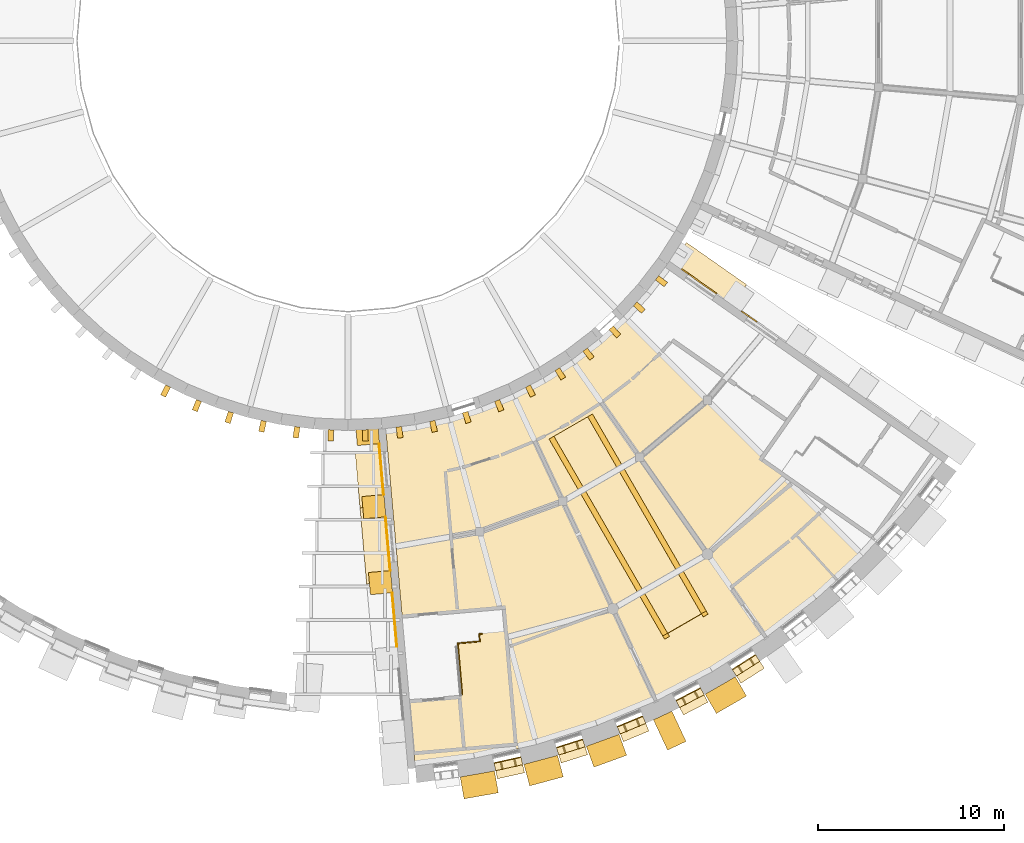
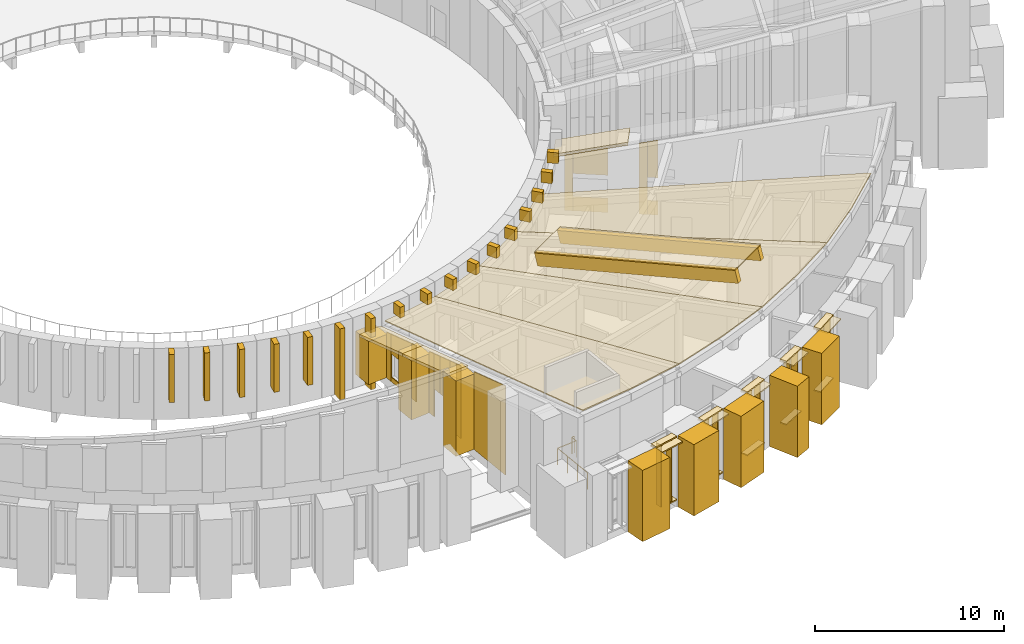
# One storey, part 36 of 50: 76 coverings, 1 railing.
"""IFC4 building model written with IfcOpenShell, lengths in metres."""

from ifc_helpers import new_model, si_unit, direction, frame, origin, origin_2d, place, context, subcontext, project, spatial, polyline, rectangle, circle, outline, extrude, material, layer, layer_set, type_object, element, save


model = new_model("IFC4")

# Units and contexts
model_context = context("Model", 3, precision=1e-05, world=origin(), true_north=direction((0.0, 1.0)))
body_context = subcontext(model_context, "Body", "Model", "MODEL_VIEW")
ifc_project = project(units=[si_unit("LENGTHUNIT", "METRE"), si_unit("AREAUNIT", "SQUARE_METRE"), si_unit("VOLUMEUNIT", "CUBIC_METRE"), si_unit("PLANEANGLEUNIT", "RADIAN"), si_unit("MASSUNIT", "GRAM", prefix="KILO")], contexts=[model_context])

# Site, building, storey
site_placement = place(None, origin())
site = spatial("IfcSite", under=ifc_project, at=site_placement, CompositionType="ELEMENT")
building_placement = place(site_placement, origin())
building = spatial("IfcBuilding", under=site, at=building_placement, Name="Volute Hill Aquarium", CompositionType="ELEMENT")
storey_placement = place(building_placement, frame((0.0, 0.0, 9.199951171875)))
storey = spatial("IfcBuildingStorey", under=building, at=storey_placement, Name="L03", CompositionType="ELEMENT", Elevation=9.199951171875)

# Coverings
ifc_material_1 = material(Name="Precast pale concrete C40/50", Category="concrete")
covering_type_1 = type_object("IfcCoveringType", Name="Drum pier fin 300x600", PredefinedType="CLADDING", material=ifc_material_1)
for number, where, z_axis, x_axis, name in (
    (1, (-9.826171875, -18.8759765625, 1.5), (0.0, 0.0, 1.0), (0.887010833178, -0.461748613235, 0.0), "Drum pier fin DF 49 L03"),
    (2, (-8.1435546875, -19.660400390625, 1.5), (0.0, 0.0, 1.0), (0.923879532511, -0.382683432365, 0.0), "Drum pier fin DF 50 L03"),
    (3, (-6.399169921875, -20.29541015625, 1.5), (0.0, 0.0, 1.0), (0.953716950748, -0.300705799504, 0.0), "Drum pier fin DF 51 L03"),
    (4, (-4.60595703125, -20.77587890625, 1.5), (0.0, 0.0, 1.0), (0.97629600712, -0.216439613938, 0.0), "Drum pier fin DF 52 L03"),
    (5, (-2.777587890625, -21.09814453125, 1.5), (0.0, 0.0, 1.0), (0.991444861374, -0.13052619222, 0.0), "Drum pier fin DF 53 L03"),
):
    element("IfcCovering", number, at=place(storey_placement, frame(where, z_axis=z_axis, x_axis=x_axis)), inside=storey, type_object=covering_type_1, Name=name, PredefinedType="CLADDING", context=body_context, shape_type="SweptSolid", body=[
        extrude(rectangle(XDim=0.300048828125, YDim=0.60009765625, at=origin_2d()), origin(), (0.0, 0.0, 1.0), 3.10009765625),
    ])
for number, where, z_axis, x_axis, name in (
    (6, (-0.92822265625, -21.260009765625, 0.0), (0.0, 0.0, 1.0), (0.999048221582, -0.043619387365, 0.0), "Drum pier fin DF 54 L03"),
    (7, (0.92822265625, -21.260009765625, 0.0), (0.0, 0.0, 1.0), (0.999048221582, 0.043619387365, 0.0), "Drum pier fin DF 55 L03"),
):
    element("IfcCovering", number, at=place(storey_placement, frame(where, z_axis=z_axis, x_axis=x_axis)), inside=storey, type_object=covering_type_1, Name=name, PredefinedType="CLADDING", context=body_context, shape_type="SweptSolid", body=[
        extrude(rectangle(XDim=0.300048828125, YDim=0.60009765625, at=origin_2d()), origin(), (0.0, 0.0, 1.0), 4.60009765625),
    ])
for number, where, z_axis, x_axis, name in (
    (8, (2.777587890625, -21.09814453125, 3.89990234375), (0.0, 0.0, 1.0), (0.991444861374, 0.13052619222, 0.0), "Drum pier fin DF 56 L03"),
    (9, (4.60595703125, -20.77587890625, 3.89990234375), (0.0, 0.0, 1.0), (0.97629600712, 0.216439613938, 0.0), "Drum pier fin DF 57 L03"),
    (10, (6.399169921875, -20.29541015625, 3.89990234375), (0.0, 0.0, 1.0), (0.953716950748, 0.300705799504, 0.0), "Drum pier fin DF 58 L03"),
    (11, (8.1435546875, -19.660400390625, 3.89990234375), (0.0, 0.0, 1.0), (0.923879532511, 0.382683432365, 0.0), "Drum pier fin DF 59 L03"),
    (12, (9.826171875, -18.8759765625, 3.89990234375), (0.0, 0.0, 1.0), (0.887010833178, 0.461748613235, 0.0), "Drum pier fin DF 60 L03"),
    (13, (11.433837890625, -17.947509765625, 3.89990234375), (0.0, 0.0, 1.0), (0.843391445813, 0.537299608347, 0.0), "Drum pier fin DF 61 L03"),
    (14, (12.95458984375, -16.8828125, 3.89990234375), (0.0, 0.0, 1.0), (0.793353340291, 0.608761429009, 0.0), "Drum pier fin DF 62 L03"),
    (15, (14.376708984375, -15.689453125, 3.89990234375), (0.0, 0.0, 1.0), (0.73727733681, 0.675590207616, 0.0), "Drum pier fin DF 63 L03"),
    (16, (15.689453125, -14.376708984375, 3.89990234375), (0.0, 0.0, 1.0), (0.675590207616, 0.73727733681, 0.0), "Drum pier fin DF 64 L03"),
    (17, (16.8828125, -12.95458984375, 3.89990234375), (0.0, 0.0, 1.0), (0.608761429009, 0.793353340291, 0.0), "Drum pier fin DF 65 L03"),
):
    element("IfcCovering", number, at=place(storey_placement, frame(where, z_axis=z_axis, x_axis=x_axis)), inside=storey, type_object=covering_type_1, Name=name, PredefinedType="CLADDING", context=body_context, shape_type="SweptSolid", body=[
        extrude(rectangle(XDim=0.300048828125, YDim=0.60009765625, at=origin_2d()), origin(), (0.0, 0.0, 1.0), 0.699951171875),
    ])
ifc_material_2 = material(Name="Precast concrete C40/50", Category="concrete")
covering_type_2 = type_object("IfcCoveringType", Name="End wall precast coping C40/50 1350x200", PredefinedType="CLADDING", material=ifc_material_2)
covering_1_placement = place(storey_placement, frame((0.301025390625, -21.224609375, 3.385498046875), z_axis=(-0.996193449642, -0.087170011416, 0.0), x_axis=(0.084423802977, -0.964809320923, 0.249029307011)))
element("IfcCovering", 18, at=covering_1_placement, inside=storey, type_object=covering_type_2, Name="End wall coping EWC S3A L03 1", PredefinedType="CLADDING", context=body_context, shape_type="SweptSolid", body=[
    extrude(outline(polyline([(0.0, 0.0), (4.086178198119667, 0.0), (4.135971899887677, 0.19365190006406918), (0.049793701768010026, 0.19365190006406927), (0.0, 0.0)])), origin(), (0.0, 0.0, -1.0), 1.35009765625),
])
covering_2_placement = place(storey_placement, frame((0.64599609375, -25.1669921875, 4.403076171875), z_axis=(-0.996196297754, -0.087137456594, 0.0), x_axis=(0.084393425965, -0.96482525182, 0.248977876738)))
element("IfcCovering", 19, at=covering_2_placement, inside=storey, type_object=covering_type_2, Name="End wall coping EWC S3A L03 2", PredefinedType="CLADDING", context=body_context, shape_type="SweptSolid", body=[
    extrude(outline(polyline([(0.0, 0.0), (4.2409719970348, -2.220446049250313e-16), (4.290755415259415, 0.19365454397988868), (0.049783418224616224, 0.19365454397988896), (0.0, 0.0)])), origin(), (0.0, 0.0, -1.0), 1.35009765625),
])
covering_3_placement = place(storey_placement, frame((17.4560546875, -11.978759765625, 3.385498046875), z_axis=(-0.573574122473, -0.819153664479, 0.0), x_axis=(0.793349830581, -0.555506192088, 0.249015896819)))
element("IfcCovering", 20, at=covering_3_placement, inside=storey, type_object=covering_type_2, Name="End wall coping EWC S3B L03 1", PredefinedType="CLADDING", context=body_context, shape_type="SweptSolid", body=[
    extrude(outline(polyline([(0.0, 0.0), (4.086398250064554, 1.1102230246251565e-16), (4.136189270449045, 0.19365258950826592), (0.04979102038449166, 0.1936525895082659), (0.0, 0.0)])), origin(), (0.0, 0.0, -1.0), 1.35009765625),
])
ifc_material_3 = material(Name="Precast concrete C40/50", Category="concrete")
covering_type_3 = type_object("IfcCoveringType", Name="End wall precast fin C40/50 1200x1200", PredefinedType="CLADDING", material=ifc_material_3)
covering_4_placement = place(storey_placement, frame((1.048095703125, -21.1591796875, 0.60009765625), z_axis=(0.0, 0.0, 1.0), x_axis=(0.0871544444, -0.996194811682, 0.0)))
element("IfcCovering", 21, at=covering_4_placement, inside=storey, type_object=covering_type_3, Name="End wall fin EWF S3A L03 1", PredefinedType="CLADDING", context=body_context, shape_type="SweptSolid", body=[
    extrude(rectangle(XDim=1.199951171875, YDim=1.199951171875, at=origin_2d()), origin(), (0.0, 0.0, 1.0), 2.785400390625),
])
covering_5_placement = place(storey_placement, frame((1.39306640625, -25.1015625, 0.60009765625), z_axis=(0.0, 0.0, 1.0), x_axis=(0.0871544444, -0.996194811682, 0.0)))
element("IfcCovering", 22, at=covering_5_placement, inside=storey, type_object=covering_type_3, Name="End wall fin EWF S3A L03 2", PredefinedType="CLADDING", context=body_context, shape_type="SweptSolid", body=[
    extrude(rectangle(XDim=1.199951171875, YDim=1.199951171875, at=origin_2d()), origin(), (0.0, 0.0, 1.0), 3.802978515625),
])
covering_6_placement = place(storey_placement, frame((1.7509765625, -29.193359375, 0.60009765625), z_axis=(0.0, 0.0, 1.0), x_axis=(0.0871544444, -0.996194811682, 0.0)))
element("IfcCovering", 23, at=covering_6_placement, inside=storey, type_object=covering_type_3, Name="End wall fin EWF S3A L03 3", PredefinedType="CLADDING", context=body_context, shape_type="SweptSolid", body=[
    extrude(rectangle(XDim=1.199951171875, YDim=1.199951171875, at=origin_2d()), origin(), (0.0, 0.0, 1.0), 4.85888671875),
])
ifc_material_4 = material(Name="Precast concrete C40/50", Category="concrete")
ifc_layer_1 = layer(ifc_material_4, 0.050048828125)
ifc_layer_set_1 = layer_set([ifc_layer_1], Name="End wall precast infill panel C40/50 50")
covering_type_4 = type_object("IfcCoveringType", Name="End wall precast infill panel C40/50 50", PredefinedType="CLADDING", material=ifc_layer_set_1)
covering_7_placement = place(storey_placement, frame((1.6484375, -21.708984375, 0.60009765625), z_axis=(-0.996224282231, -0.086816930913, 0.0), x_axis=(0.086816930913, -0.996224282231, 0.0)))
element("IfcCovering", 24, at=covering_7_placement, inside=storey, type_object=covering_type_4, Name="End wall panel EWP S3A L03 1", PredefinedType="CLADDING", context=body_context, shape_type="SweptSolid", body=[
    extrude(outline(polyline([(0.0, 0.0), (0.44994103787166956, 0.0), (0.44994103787166956, 3.055419921875001), (0.0, 2.9396972656250004), (0.0, 0.0)])), origin(), (0.0, 0.0, -1.0), 0.050048828125),
])
covering_8_placement = place(storey_placement, frame((1.6875, -22.1572265625, 0.60009765625), z_axis=(-0.9961841526, -0.087276194396, 0.0), x_axis=(0.087276194396, -0.9961841526, 0.0)))
element("IfcCovering", 25, at=covering_8_placement, inside=storey, type_object=covering_type_4, Name="End wall panel EWP S3A L03 1", PredefinedType="CLADDING", context=body_context, shape_type="SweptSolid", body=[
    extrude(outline(polyline([(0.0, 0.0), (1.8574294642665423, 0.0), (1.8574294642665423, 0.300048828125), (0.0, 0.300048828125), (0.0, 0.0)])), origin(), (0.0, 0.0, -1.0), 0.050048828125),
])
covering_9_placement = place(storey_placement, frame((1.6875, -22.1572265625, 2.400146484375), z_axis=(-0.9961841526, -0.087276194396, 0.0), x_axis=(0.087276194396, -0.9961841526, 0.0)))
element("IfcCovering", 26, at=covering_9_placement, inside=storey, type_object=covering_type_4, Name="End wall panel EWP S3A L03 1", PredefinedType="CLADDING", context=body_context, shape_type="SweptSolid", body=[
    extrude(outline(polyline([(0.0, 0.0), (1.8574294642665423, 0.0), (1.8574294642665423, 1.73291015625), (0.0, 1.25537109375), (0.0, 0.0)])), origin(), (0.0, 0.0, -1.0), 0.050048828125),
])
covering_10_placement = place(storey_placement, frame((1.849609375, -24.007568359375, 0.60009765625), z_axis=(-0.996228368635, -0.086770026664, 0.0), x_axis=(0.086770026664, -0.996228368635, 0.0)))
element("IfcCovering", 27, at=covering_10_placement, inside=storey, type_object=covering_type_4, Name="End wall panel EWP S3A L03 1", PredefinedType="CLADDING", context=body_context, shape_type="SweptSolid", body=[
    extrude(outline(polyline([(0.0, 0.0), (0.450184257189537, 0.0), (0.450184257189537, 3.648681640625), (0.0, 3.532958984375), (0.0, 0.0)])), origin(), (0.0, 0.0, -1.0), 0.050048828125),
])
covering_11_placement = place(storey_placement, frame((1.993408203125, -25.6513671875, 0.60009765625), z_axis=(-0.996224282231, -0.086816930913, 0.0), x_axis=(0.086816930913, -0.996224282231, 0.0)))
element("IfcCovering", 28, at=covering_11_placement, inside=storey, type_object=covering_type_4, Name="End wall panel EWP S3A L03 2", PredefinedType="CLADDING", context=body_context, shape_type="SweptSolid", body=[
    extrude(outline(polyline([(0.0, 0.0), (0.44994103787166956, 0.0), (0.44994103787166956, 4.07275390625), (0.0, 3.95703125), (0.0, 0.0)])), origin(), (0.0, 0.0, -1.0), 0.050048828125),
])
covering_12_placement = place(storey_placement, frame((2.032470703125, -26.099609375, 2.400146484375), z_axis=(-0.996184142487, -0.087276309829, 0.0), x_axis=(0.087276309829, -0.996184142487, 0.0)))
element("IfcCovering", 29, at=covering_12_placement, inside=storey, type_object=covering_type_4, Name="End wall panel EWP S3A L03 2", PredefinedType="CLADDING", context=body_context, shape_type="SweptSolid", body=[
    extrude(outline(polyline([(0.0, 0.0), (0.553871306486046, 0.0), (0.553871306486046, 2.4150390625), (0.0, 2.272705078125), (0.0, 0.0)])), origin(), (0.0, 0.0, -1.0), 0.050048828125),
])
covering_13_placement = place(storey_placement, frame((2.080810546875, -26.6513671875, 2.400146484375), z_axis=(-0.996200781645, -0.087086179441, 0.0), x_axis=(0.087086179441, -0.996200781645, 0.0)))
element("IfcCovering", 30, at=covering_13_placement, inside=storey, type_object=covering_type_4, Name="End wall panel EWP S3A L03 2", PredefinedType="CLADDING", context=body_context, shape_type="SweptSolid", body=[
    extrude(outline(polyline([(0.0, 0.0), (0.8999033041507525, 0.0), (0.8999033041507525, 2.6464843749999996), (0.0, 2.4150390624999996), (0.0, 0.0)])), origin(), (0.0, 0.0, -1.0), 0.050048828125),
])
covering_14_placement = place(storey_placement, frame((2.1591796875, -27.5478515625, 2.400146484375), z_axis=(-0.996184142487, -0.087276309829, 0.0), x_axis=(0.087276309829, -0.996184142487, 0.0)))
element("IfcCovering", 31, at=covering_14_placement, inside=storey, type_object=covering_type_4, Name="End wall panel EWP S3A L03 2", PredefinedType="CLADDING", context=body_context, shape_type="SweptSolid", body=[
    extrude(outline(polyline([(0.0, 0.0), (0.553871306486046, 0.0), (0.553871306486046, 2.788818359375), (0.0, 2.646484375), (0.0, 0.0)])), origin(), (0.0, 0.0, -1.0), 0.050048828125),
])
covering_15_placement = place(storey_placement, frame((2.20751953125, -28.099609375, 0.60009765625), z_axis=(-0.996224282231, -0.086816930913, 0.0), x_axis=(0.086816930913, -0.996224282231, 0.0)))
element("IfcCovering", 32, at=covering_15_placement, inside=storey, type_object=covering_type_4, Name="End wall panel EWP S3A L03 2", PredefinedType="CLADDING", context=body_context, shape_type="SweptSolid", body=[
    extrude(outline(polyline([(0.0, 0.0), (0.44994103787166956, 0.0), (0.44994103787166956, 4.70458984375), (0.0, 4.5888671875), (0.0, 0.0)])), origin(), (0.0, 0.0, -1.0), 0.050048828125),
])
covering_16_placement = place(storey_placement, frame((2.351318359375, -29.7431640625, 0.60009765625), z_axis=(-0.996194446597, -0.087158617293, 0.0), x_axis=(0.087158617293, -0.996194446597, 0.0)))
element("IfcCovering", 33, at=covering_16_placement, inside=storey, type_object=covering_type_4, Name="End wall panel EWP S3A L03 3", PredefinedType="CLADDING", context=body_context, shape_type="SweptSolid", body=[
    extrude(outline(polyline([(0.0, 0.0), (2.907549208784697, 0.0), (2.907549208784697, 5.760498046875001), (0.0, 5.013183593750001), (0.0, 0.0)])), origin(), (0.0, 0.0, -1.0), 0.050048828125),
])
covering_17_placement = place(storey_placement, frame((17.947509765625, -12.322998046875, 0.0), z_axis=(-0.573462344363, -0.819231920519, 0.0), x_axis=(0.819231920519, -0.573462344363, 0.0)))
element("IfcCovering", 34, at=covering_17_placement, inside=storey, type_object=covering_type_4, Name="End wall panel EWP S3B L03 1", PredefinedType="CLADDING", context=body_context, shape_type="SweptSolid", body=[
    extrude(outline(polyline([(0.0, 0.0), (0.4499975336854954, 0.0), (0.4499975336854954, 3.655517578125), (0.0, 3.539794921875), (0.0, 0.0)])), origin(), (0.0, 0.0, -1.0), 0.050048828125),
])
covering_18_placement = place(storey_placement, frame((18.316162109375, -12.5810546875, 0.0), z_axis=(-0.573541726318, -0.81917634742, 0.0), x_axis=(0.81917634742, -0.573541726318, 0.0)))
element("IfcCovering", 35, at=covering_18_placement, inside=storey, type_object=covering_type_4, Name="End wall panel EWP S3B L03 1", PredefinedType="CLADDING", context=body_context, shape_type="SweptSolid", body=[
    extrude(outline(polyline([(0.0, 0.0), (1.8576323894335536, 0.0), (1.8576323894335536, 0.900146484375), (0.0, 0.900146484375), (0.0, 0.0)])), origin(), (0.0, 0.0, -1.0), 0.050048828125),
])
covering_19_placement = place(storey_placement, frame((18.316162109375, -12.5810546875, 2.400146484375), z_axis=(-0.573541726318, -0.81917634742, 0.0), x_axis=(0.81917634742, -0.573541726318, 0.0)))
element("IfcCovering", 36, at=covering_19_placement, inside=storey, type_object=covering_type_4, Name="End wall panel EWP S3B L03 1", PredefinedType="CLADDING", context=body_context, shape_type="SweptSolid", body=[
    extrude(outline(polyline([(0.0, 0.0), (1.8576323894335536, 0.0), (1.8576323894335536, 1.73291015625), (0.0, 1.25537109375), (0.0, 0.0)])), origin(), (0.0, 0.0, -1.0), 0.050048828125),
])
covering_20_placement = place(storey_placement, frame((21.189453125, -14.5927734375, 0.0), z_axis=(-0.573826293727, -0.81897703547, 0.0), x_axis=(0.81897703547, -0.573826293727, 0.0)))
element("IfcCovering", 37, at=covering_20_placement, inside=storey, type_object=covering_type_4, Name="End wall panel EWP S3B L03 2", PredefinedType="CLADDING", context=body_context, shape_type="SweptSolid", body=[
    extrude(outline(polyline([(0.0, 0.0), (0.4501375835749871, 0.0), (0.4501375835749871, 4.6728515625), (0.0, 4.55712890625), (0.0, 0.0)])), origin(), (0.0, 0.0, -1.0), 0.050048828125),
])
covering_21_placement = place(storey_placement, frame((21.55810546875, -14.85107421875, 0.0), z_axis=(-0.573580694562, -0.819149062641, 0.0), x_axis=(0.819149062641, -0.573580694562, 0.0)))
element("IfcCovering", 38, at=covering_21_placement, inside=storey, type_object=covering_type_4, Name="End wall panel EWP S3B L03 2", PredefinedType="CLADDING", context=body_context, shape_type="SweptSolid", body=[
    extrude(outline(polyline([(0.0, 0.0), (0.5537615825225353, 0.0), (0.5537615825225353, 0.900146484375), (0.0, 0.900146484375), (0.0, 0.0)])), origin(), (0.0, 0.0, -1.0), 0.050048828125),
])
covering_22_placement = place(storey_placement, frame((21.55810546875, -14.85107421875, 2.400146484375), z_axis=(-0.573580694562, -0.819149062641, 0.0), x_axis=(0.819149062641, -0.573580694562, 0.0)))
element("IfcCovering", 39, at=covering_22_placement, inside=storey, type_object=covering_type_4, Name="End wall panel EWP S3B L03 2", PredefinedType="CLADDING", context=body_context, shape_type="SweptSolid", body=[
    extrude(outline(polyline([(0.0, 0.0), (0.5537615825225353, 0.0), (0.5537615825225353, 2.4150390625), (0.0, 2.272705078125), (0.0, 0.0)])), origin(), (0.0, 0.0, -1.0), 0.050048828125),
])

# Railing
ifc_material_5 = material(Name="Stainless steel 1.4301", Category="steel")
railing_type = type_object("IfcRailingType", Name="Guard 1100 stainless", PredefinedType="GUARDRAIL", material=ifc_material_5)
railing_placement = place(storey_placement, frame((7.21142578125, -31.943115234375, 0.0)))
element("IfcRailing", 40, at=railing_placement, inside=storey, type_object=railing_type, Name="gd/S3-A/L03/well", PredefinedType="GUARDRAIL", context=body_context, shape_type="SweptSolid", body=[
    extrude(circle(Radius=0.02392578125, at=origin_2d()), frame((0.0, 0.0, 1.076171875), z_axis=(-0.99627106838, -0.086278376837, 0.0), x_axis=(0.086278376837, -0.99627106838, 0.0)), (0.0, 0.0, 1.0), 0.14990234375),
    extrude(circle(Radius=0.02392578125, at=origin_2d()), frame((-0.1494140625, -0.012939453125, 1.076171875), z_axis=(0.087288103317, -0.996183109182, 0.0), x_axis=(0.996183109182, 0.087288103317, 0.0)), (0.0, 0.0, 1.0), 0.39990234375),
    extrude(circle(Radius=0.02392578125, at=origin_2d()), frame((-0.114501953125, -0.411376953125, 1.076171875), z_axis=(-0.996183109182, -0.087288103317, 0.0), x_axis=(0.087288103317, -0.996183109182, 0.0)), (0.0, 0.0, 1.0), 1.199951171875),
    extrude(circle(Radius=0.02392578125, at=origin_2d()), frame((-1.309814453125, -0.51611328125, 1.076171875), z_axis=(0.087093161749, -0.996200171239, 0.0), x_axis=(0.996200171239, 0.087093161749, 0.0)), (0.0, 0.0, 1.0), 2.75),
    extrude(circle(Radius=0.02099609375, at=origin_2d()), origin(), (0.0, 0.0, 1.0), 1.052001953125),
    extrude(circle(Radius=0.02099609375, at=origin_2d()), frame((-0.1494140625, -0.012939453125, 0.0)), (0.0, 0.0, 1.0), 1.052001953125),
    extrude(circle(Radius=0.02099609375, at=origin_2d()), frame((-0.114501953125, -0.411376953125, 0.0)), (0.0, 0.0, 1.0), 1.052001953125),
    extrude(circle(Radius=0.02099609375, at=origin_2d()), frame((-1.309814453125, -0.51611328125, 0.0)), (0.0, 0.0, 1.0), 1.052001953125),
    extrude(circle(Radius=0.02099609375, at=origin_2d()), frame((-1.22998046875, -1.42919921875, 0.0)), (0.0, 0.0, 1.0), 1.052001953125),
    extrude(circle(Radius=0.02099609375, at=origin_2d()), frame((-1.150146484375, -2.342529296875, 0.0)), (0.0, 0.0, 1.0), 1.052001953125),
    extrude(circle(Radius=0.02099609375, at=origin_2d()), frame((-1.0703125, -3.255615234375, 0.0)), (0.0, 0.0, 1.0), 1.052001953125),
])

# Coverings
ifc_material_6 = material(Name="Aluminium, anodised", Category="aluminium")
ifc_layer_2 = layer(ifc_material_6, 0.080078125)
ifc_layer_set_2 = layer_set([ifc_layer_2], Name="Horizontal brise-soleil eyebrow 900x80")
covering_type_5 = type_object("IfcCoveringType", Name="Horizontal brise-soleil eyebrow 900x80", PredefinedType="CLADDING", material=ifc_layer_set_2)
for number, where, z_axis, x_axis, name in (
    (41, (8.681884765625, -39.161376953125, 4.409912109375), (0.0, 0.0, 1.0), (0.976296993237, 0.216435165805, 0.0), "Brise-soleil eyebrow BS S3 L03 2.1"),
    (42, (12.06201171875, -38.255859375, 4.409912109375), (0.0, 0.0, 1.0), (0.953713922474, 0.300715403793, 0.0), "Brise-soleil eyebrow BS S3 L03 3.1"),
    (43, (15.350341796875, -37.058837890625, 4.409912109375), (0.0, 0.0, 1.0), (0.923875360833, 0.382693503532, 0.0), "Brise-soleil eyebrow BS S3 L03 4.1"),
    (44, (18.521728515625, -35.580078125, 4.409912109375), (0.0, 0.0, 1.0), (0.887014858172, 0.461740881211, 0.0), "Brise-soleil eyebrow BS S3 L03 5.1"),
    (45, (21.55224609375, -33.830322265625, 4.409912109375), (0.0, 0.0, 1.0), (0.843389121011, 0.537303257537, 0.0), "Brise-soleil eyebrow BS S3 L03 6.1"),
):
    element("IfcCovering", number, at=place(storey_placement, frame(where, z_axis=z_axis, x_axis=x_axis)), inside=storey, type_object=covering_type_5, Name=name, PredefinedType="CLADDING", context=body_context, shape_type="SweptSolid", body=[
        extrude(rectangle(XDim=1.4892578125, YDim=0.89990234375, at=origin_2d()), origin(), (0.0, 0.0, 1.0), 0.080078125),
    ])
ifc_material_7 = material(Name="Precast concrete C40/50", Category="concrete")
covering_type_6 = type_object("IfcCoveringType", Name="Projecting pier precast concrete C40/50 1100x1800", PredefinedType="CLADDING", material=ifc_material_7)
covering_23_placement = place(storey_placement, frame((17.330078125, -37.16455078125, 0.0), z_axis=(0.0, 0.0, 1.0), x_axis=(0.906307787037, 0.422618261741, 0.0)))
element("IfcCovering", 46, at=covering_23_placement, inside=storey, type_object=covering_type_6, Name="Projecting pier PP S3 L03 4", PredefinedType="CLADDING", context=body_context, shape_type="SweptSolid", body=[
    extrude(rectangle(XDim=1.10009765625, YDim=1.800048828125, at=origin_2d()), origin(), (0.0, 0.0, 1.0), 4.60009765625),
])
ifc_material_8 = material(Name="Precast concrete C40/50", Category="concrete")
covering_type_7 = type_object("IfcCoveringType", Name="Projecting pier precast concrete C40/50 1875x1200", PredefinedType="CLADDING", material=ifc_material_8)
for number, where, z_axis, x_axis, name in (
    (47, (7.068603515625, -40.088134765625, 0.0), (0.0, 0.0, 1.0), (0.984807753012, 0.173648177667, 0.0), "Projecting pier PP S3 L03 1"),
    (48, (10.53564453125, -39.319580078125, 0.0), (0.0, 0.0, 1.0), (0.965925826289, 0.258819045103, 0.0), "Projecting pier PP S3 L03 2"),
    (49, (13.922607421875, -38.251708984375, 0.0), (0.0, 0.0, 1.0), (0.939692620786, 0.342020143326, 0.0), "Projecting pier PP S3 L03 3"),
    (50, (20.353271484375, -35.2529296875, 0.0), (0.0, 0.0, 1.0), (0.866025403784, 0.5, 0.0), "Projecting pier PP S3 L03 5"),
):
    element("IfcCovering", number, at=place(storey_placement, frame(where, z_axis=z_axis, x_axis=x_axis)), inside=storey, type_object=covering_type_7, Name=name, PredefinedType="CLADDING", context=body_context, shape_type="SweptSolid", body=[
        extrude(rectangle(XDim=1.87548828125, YDim=1.199951171875, at=origin_2d()), origin(), (0.0, 0.0, 1.0), 4.60009765625),
    ])
ifc_material_9 = material(Name="Glass, low-iron laminated", Category="glass")
ifc_layer_3 = layer(ifc_material_9, 0.06005859375)
ifc_layer_set_3 = layer_set([ifc_layer_3], Name="Rooflight glazing strip 60")
covering_type_8 = type_object("IfcCoveringType", Name="Rooflight glazing strip 60", PredefinedType="CLADDING", material=ifc_layer_set_3)
covering_24_placement = place(storey_placement, frame((10.830810546875, -21.459716796875, 5.344970703125), z_axis=(-0.124940115906, 0.216397184475, 0.968277969381), x_axis=(0.484138638815, -0.838553519105, 0.249875517016)))
element("IfcCovering", 51, at=covering_24_placement, inside=storey, type_object=covering_type_8, Name="Rooflight glazing strip RG S3", PredefinedType="CLADDING", context=body_context, shape_type="SweptSolid", body=[
    extrude(outline(polyline([(0.0, 0.0), (12.650830502538758, 6.632742315451634e-16), (12.65080094246037, 2.7001443646095846), (-2.9560078387502742e-05, 2.7001443646095837), (0.0, 0.0)])), origin(), (0.0, 0.0, -1.0), 0.06005859375),
])
ifc_material_10 = material(Name="Precast concrete C30/37", Category="concrete")
covering_type_9 = type_object("IfcCoveringType", Name="Rooflight kerb precast concrete C30/37 300x800", PredefinedType="CLADDING", material=ifc_material_10)
covering_25_placement = place(storey_placement, frame((10.830810546875, -21.459716796875, 5.282958984375), z_axis=(-0.124999771462, 0.216361393044, 0.968278268234), x_axis=(0.484138789583, -0.838553780069, 0.24987434913)))
element("IfcCovering", 52, at=covering_25_placement, inside=storey, type_object=covering_type_9, Name="Rooflight kerb RK S3 1", PredefinedType="CLADDING", context=body_context, shape_type="SweptSolid", body=[
    extrude(outline(polyline([(0.0, 0.0), (12.650830502529553, -3.8955384057404174e-16), (12.65080541370234, 0.3002483041222051), (-0.00014328677389016664, 0.30003687429694936), (0.0, 0.0)])), origin(), (0.0, 0.0, -1.0), 0.800048828125),
])
covering_26_placement = place(storey_placement, frame((12.909423828125, -20.259521484375, 5.282958984375), z_axis=(-0.124891887035, 0.216425028998, 0.968277968032), x_axis=(0.484138638815, -0.838553519105, 0.249875517016)))
element("IfcCovering", 53, at=covering_26_placement, inside=storey, type_object=covering_type_9, Name="Rooflight kerb RK S3 2", PredefinedType="CLADDING", context=body_context, shape_type="SweptSolid", body=[
    extrude(outline(polyline([(0.0, 0.0), (12.650830502538758, -9.93129189996722e-17), (12.650891940763522, 0.2999148026002193), (6.143822476439853e-05, 0.299914802600219), (0.0, 0.0)])), origin(), (0.0, 0.0, -1.0), 0.800048828125),
])
ifc_material_11 = material(Name="Timber, thermally modified ash", Category="wood")
covering_type_10 = type_object("IfcCoveringType", Name="Timber louvre fin 60x400", PredefinedType="CLADDING", material=ifc_material_11)
for number, where, z_axis, x_axis, name in (
    (54, (8.275146484375, -39.046875, 0.5302734375), (0.0, 0.0, 1.0), (0.976296993237, 0.216435165805, 0.0), "Timber louvre fin S3 L03 2.1.1"),
    (55, (9.001953125, -38.885498046875, 0.5302734375), (0.0, 0.0, 1.0), (0.976296993237, 0.216435165805, 0.0), "Timber louvre fin S3 L03 2.1.2"),
    (56, (11.646728515625, -38.177001953125, 0.5302734375), (0.0, 0.0, 1.0), (0.953713922474, 0.300715403793, 0.0), "Timber louvre fin S3 L03 3.1.1"),
    (57, (12.35693359375, -37.953125, 0.5302734375), (0.0, 0.0, 1.0), (0.953713922474, 0.300715403793, 0.0), "Timber louvre fin S3 L03 3.1.2"),
    (58, (14.9296875, -37.0166015625, 0.5302734375), (0.0, 0.0, 1.0), (0.923875360833, 0.382693503532, 0.0), "Timber louvre fin S3 L03 4.1.1"),
    (59, (15.61767578125, -36.731689453125, 0.5302734375), (0.0, 0.0, 1.0), (0.923875360833, 0.382693503532, 0.0), "Timber louvre fin S3 L03 4.1.2"),
    (60, (18.09912109375, -35.574462890625, 0.5302734375), (0.0, 0.0, 1.0), (0.887014858172, 0.461740881211, 0.0), "Timber louvre fin S3 L03 5.1.1"),
    (61, (18.759521484375, -35.230712890625, 0.5302734375), (0.0, 0.0, 1.0), (0.887014858172, 0.461740881211, 0.0), "Timber louvre fin S3 L03 5.1.2"),
    (62, (21.130859375, -33.861572265625, 0.5302734375), (0.0, 0.0, 1.0), (0.843389121011, 0.537303257537, 0.0), "Timber louvre fin S3 L03 6.1.1"),
    (63, (21.7587890625, -33.461669921875, 0.5302734375), (0.0, 0.0, 1.0), (0.843389121011, 0.537303257537, 0.0), "Timber louvre fin S3 L03 6.1.2"),
):
    element("IfcCovering", number, at=place(storey_placement, frame(where, z_axis=z_axis, x_axis=x_axis)), inside=storey, type_object=covering_type_10, Name=name, PredefinedType="CLADDING", context=body_context, shape_type="SweptSolid", body=[
        extrude(rectangle(XDim=0.06005859375, YDim=0.39990234375, at=origin_2d()), origin(), (0.0, 0.0, 1.0), 3.989990234375),
    ])
ifc_material_12 = material(Name="Timber, thermally modified ash", Category="wood")
covering_type_11 = type_object("IfcCoveringType", Name="Timber louvre fin rail 400x80", PredefinedType="CLADDING", material=ifc_material_12)
for number, where, z_axis, x_axis, name in (
    (64, (8.638427734375, -38.966064453125, 0.449951171875), (0.0, 0.0, 1.0), (0.976296993237, 0.216435165805, 0.0), "Timber louvre fin rail S3 L03 2.1"),
    (65, (8.638427734375, -38.966064453125, 4.52001953125), (0.0, 0.0, 1.0), (0.976296993237, 0.216435165805, 0.0), "Timber louvre fin rail S3 L03 2.2"),
    (66, (12.001708984375, -38.06494140625, 0.449951171875), (0.0, 0.0, 1.0), (0.953713922474, 0.300715403793, 0.0), "Timber louvre fin rail S3 L03 3.1"),
    (67, (12.001708984375, -38.06494140625, 4.52001953125), (0.0, 0.0, 1.0), (0.953713922474, 0.300715403793, 0.0), "Timber louvre fin rail S3 L03 3.2"),
    (68, (15.273681640625, -36.8740234375, 0.449951171875), (0.0, 0.0, 1.0), (0.923875360833, 0.382693503532, 0.0), "Timber louvre fin rail S3 L03 4.1"),
    (69, (15.273681640625, -36.8740234375, 4.52001953125), (0.0, 0.0, 1.0), (0.923875360833, 0.382693503532, 0.0), "Timber louvre fin rail S3 L03 4.2"),
    (70, (18.429443359375, -35.402587890625, 0.449951171875), (0.0, 0.0, 1.0), (0.887014858172, 0.461740881211, 0.0), "Timber louvre fin rail S3 L03 5.1"),
    (71, (18.429443359375, -35.402587890625, 4.52001953125), (0.0, 0.0, 1.0), (0.887014858172, 0.461740881211, 0.0), "Timber louvre fin rail S3 L03 5.2"),
    (72, (21.44482421875, -33.66162109375, 0.449951171875), (0.0, 0.0, 1.0), (0.843389121011, 0.537303257537, 0.0), "Timber louvre fin rail S3 L03 6.1"),
    (73, (21.44482421875, -33.66162109375, 4.52001953125), (0.0, 0.0, 1.0), (0.843389121011, 0.537303257537, 0.0), "Timber louvre fin rail S3 L03 6.2"),
):
    element("IfcCovering", number, at=place(storey_placement, frame(where, z_axis=z_axis, x_axis=x_axis)), inside=storey, type_object=covering_type_11, Name=name, PredefinedType="CLADDING", context=body_context, shape_type="SweptSolid", body=[
        extrude(rectangle(XDim=1.4892578125, YDim=0.39990234375, at=origin_2d()), origin(), (0.0, 0.0, 1.0), 0.080078125),
    ])
ifc_material_13 = material(Name="Zinc")
ifc_layer_4 = layer(ifc_material_13, 0.06005859375)
ifc_layer_set_4 = layer_set([ifc_layer_4], Name="Zinc standing seam roofing 60")
covering_type_12 = type_object("IfcCoveringType", Name="Zinc standing seam roofing 60", PredefinedType="ROOFING", material=ifc_layer_set_4)
covering_27_placement = place(storey_placement, frame((5.435302734375, -20.284423828125, 3.662109375), z_axis=(-0.043402612704, 0.246075351497, 0.968278438568), x_axis=(-0.976246522667, -0.216371563967, 0.011228236112)))
element("IfcCovering", 74, at=covering_27_placement, inside=storey, type_object=covering_type_12, Name="Zinc roof RF S3 1", PredefinedType="ROOFING", context=body_context, shape_type="SweptSolid", body=[
    extrude(outline(polyline([(0.0, 0.0), (1.8323459138916556, -5.377642775528102e-17), (3.4575069775706995, -0.1465883815433238), (5.891011720974528, 18.538418577079405), (2.6800337179147333, 18.828486845852712), (-0.74414457545346, 18.82820289442094), (0.0, 0.0)])), origin(), (0.0, 0.0, -1.0), 0.06005859375),
])
covering_28_placement = place(storey_placement, frame((10.158447265625, -37.912109375, 8.353759765625), z_axis=(-0.085457531374, 0.234804965016, 0.968278698896), x_axis=(0.953660720493, 0.300673507163, 0.011254877984)))
element("IfcCovering", 75, at=covering_28_placement, inside=storey, type_object=covering_type_12, Name="Zinc roof RF S3 2", PredefinedType="ROOFING", context=body_context, shape_type="SweptSolid", body=[
    extrude(outline(polyline([(0.0, 0.0), (3.4242853986495865, -1.474514954580286e-16), (6.834803785674371, 0.3081048195770326), (4.399829976709906, 18.99318490447429), (2.5751185498312683, 18.828459483152486), (0.7430966671975155, 18.828244281319776), (0.0, 0.0)])), origin(), (0.0, 0.0, -1.0), 0.06005859375),
])
covering_29_placement = place(storey_placement, frame((16.587646484375, -35.572265625, 8.353759765625), z_axis=(-0.124937983819, 0.216394977331, 0.968278737753), x_axis=(0.886943563524, 0.461740749219, 0.011251472539)))
element("IfcCovering", 76, at=covering_29_placement, inside=storey, type_object=covering_type_12, Name="Zinc roof RF S3 3", PredefinedType="ROOFING", context=body_context, shape_type="SweptSolid", body=[
    extrude(outline(polyline([(0.0, 0.0), (3.4242132576580873, -1.231653667943533e-16), (6.834752129203398, 0.308079645063549), (4.40051988367744, 18.993218327168183), (2.5757495246197513, 18.828397660436693), (0.7436271665748687, 18.82839169623154), (0.0, 0.0)])), origin(), (0.0, 0.0, -1.0), 0.06005859375),
])
covering_30_placement = place(storey_placement, frame((22.5126953125, -32.1513671875, 8.353759765625), z_axis=(-0.160618770411, 0.191411202053, 0.968278556161), x_axis=(0.79327018608, 0.608765911139, 0.011246213192)))
element("IfcCovering", 77, at=covering_30_placement, inside=storey, type_object=covering_type_12, Name="Zinc roof RF S3 4", PredefinedType="ROOFING", context=body_context, shape_type="SweptSolid", body=[
    extrude(outline(polyline([(0.0, 0.0), (3.424153587672323, -3.1051550219984847e-16), (6.8346756450034, 0.30781771707733885), (4.40096936095496, 18.993186719513186), (2.5762942738057237, 18.828277092837858), (0.7442325595168168, 18.828330039929146), (0.0, 0.0)])), origin(), (0.0, 0.0, -1.0), 0.06005859375),
])

save(model, "model.ifc")
